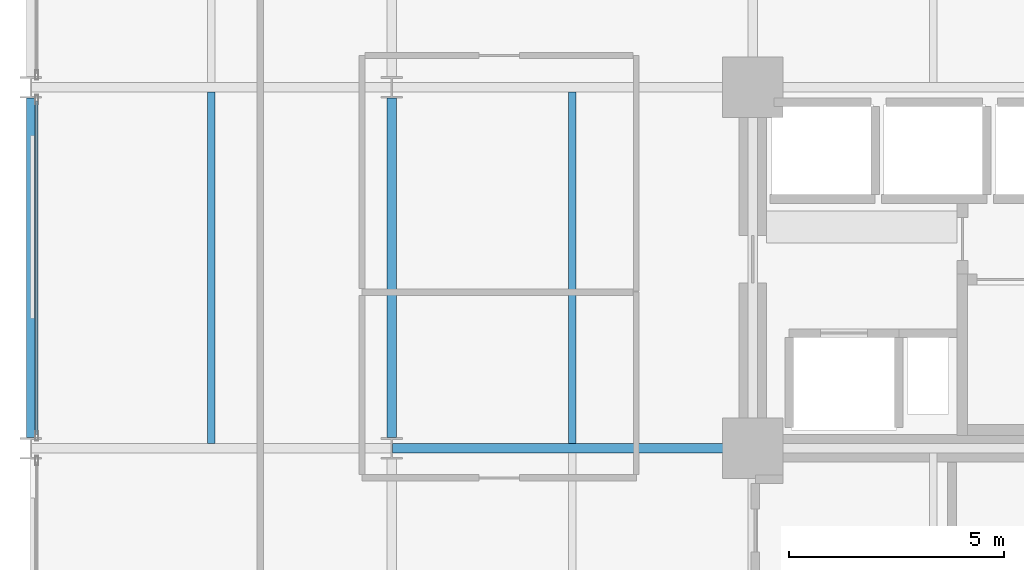
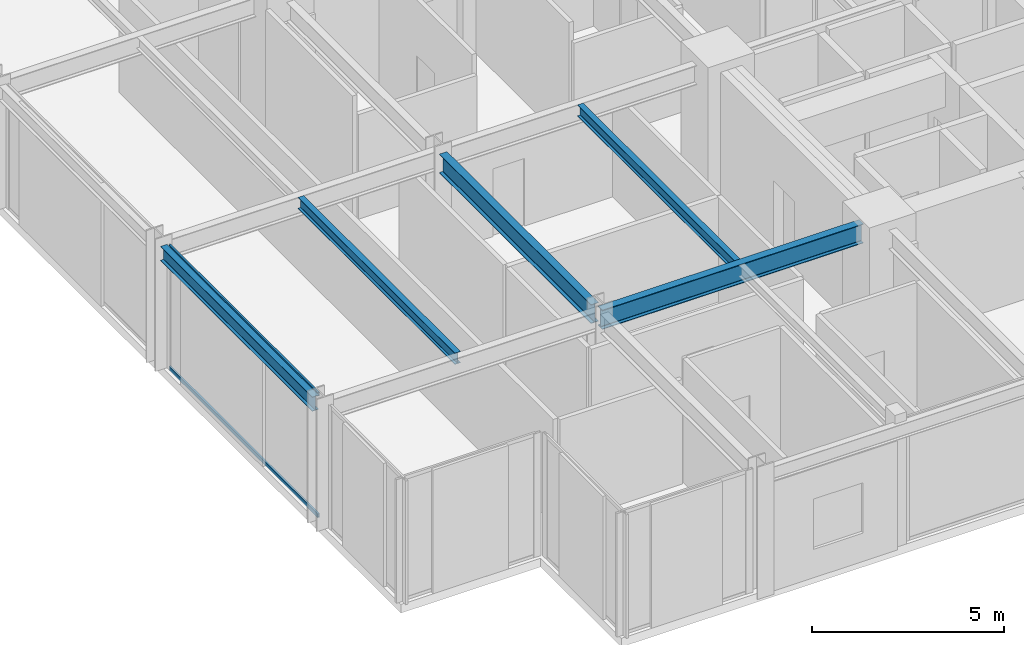
# One storey, part 5 of 26: 5 beams, 2 members, 1 element without a shape of its own.
"""IFC4 building model written with IfcOpenShell, lengths in metres."""

from ifc_helpers import new_model, si_unit, direction, frame, origin, origin_2d, place, context, subcontext, project, spatial, hollow_rectangle, i_section, extrude, material, layer, layer_set, material_profile, profile_set, type_object, element, aggregate, save


model = new_model("IFC4")

# Units and contexts
model_context = context("Model", 3, precision=1e-05, world=origin(), true_north=direction((0.0, 1.0)))
body_context = subcontext(model_context, "Body", "Model", "MODEL_VIEW")
ifc_project = project(units=[si_unit("LENGTHUNIT", "METRE"), si_unit("AREAUNIT", "SQUARE_METRE"), si_unit("VOLUMEUNIT", "CUBIC_METRE"), si_unit("PLANEANGLEUNIT", "RADIAN"), si_unit("MASSUNIT", "GRAM", prefix="KILO")], contexts=[model_context])

# Site, building, storey
site_placement = place(None, origin())
site = spatial("IfcSite", under=ifc_project, at=site_placement, CompositionType="ELEMENT")
building_placement = place(site_placement, origin())
building = spatial("IfcBuilding", under=site, at=building_placement, Name="Nerrivon Quay Data Exchange", CompositionType="ELEMENT")
storey_placement = place(building_placement, frame((0.0, 0.0, 71.0)))
storey = spatial("IfcBuildingStorey", under=building, at=storey_placement, Name="L16", CompositionType="ELEMENT", Elevation=71.0)

# Beams
ifc_material_1 = material(Name="Steel Grade 350", Category="steel")
ifc_material_profile_1 = material_profile(ifc_material_1, i_section(OverallWidth=0.22900390625, OverallDepth=0.612060546875, WebThickness=0.011962890625, FlangeThickness=0.01953125, FilletRadius=0.013916015625, at=origin_2d()), Name="610UB125")
ifc_profile_set_1 = profile_set([ifc_material_profile_1], Name="Steel Grade 350")
beam_type_1 = type_object("IfcBeamType", Name="BM-G1-610UB125", PredefinedType="BEAM", material=ifc_profile_set_1)
beam_1_placement = place(storey_placement, frame((8.4140625, 8.39990234375, 3.618896484375), z_axis=(1.0, 0.0, 0.0), x_axis=(0.0, 1.0, 0.0)))
element("IfcBeam", 1, at=beam_1_placement, inside=storey, type_object=beam_type_1, Name="L16 EW Girder Y=8.4 (8.4..16.8)", PredefinedType="BEAM", context=body_context, shape_type="SweptSolid", body=[
    extrude(i_section(OverallWidth=0.22900390625, OverallDepth=0.612060546875, WebThickness=0.011962890625, FlangeThickness=0.01953125, FilletRadius=0.013916015625, at=origin_2d()), origin(), (0.0, 0.0, 1.0), 7.845947265625),
])
ifc_material_profile_2 = material_profile(ifc_material_1, i_section(OverallWidth=0.22802734375, OverallDepth=0.60205078125, WebThickness=0.010498046875, FlangeThickness=0.014892578125, FilletRadius=0.013916015625, at=origin_2d()), Name="610UB101")
ifc_profile_set_2 = profile_set([ifc_material_profile_2], Name="Steel Grade 350")
beam_type_2 = type_object("IfcBeamType", Name="BM-G2-610UB101", PredefinedType="BEAM", material=ifc_profile_set_2)
beam_2_placement = place(storey_placement, frame((8.39990234375, 8.64990234375, 3.6240234375), z_axis=(0.0, 1.0, 0.0), x_axis=(-1.0, 0.0, 0.0)))
element("IfcBeam", 2, at=beam_2_placement, inside=storey, type_object=beam_type_2, Name="L16 NS Girder X=8.4 (8.4..16.8)", PredefinedType="BEAM", context=body_context, shape_type="SweptSolid", body=[
    extrude(i_section(OverallWidth=0.22802734375, OverallDepth=0.60205078125, WebThickness=0.010498046875, FlangeThickness=0.014892578125, FilletRadius=0.013916015625, at=origin_2d()), origin(), (0.0, 0.0, 1.0), 7.900146484375),
])
ifc_material_profile_3 = material_profile(ifc_material_1, i_section(OverallWidth=0.172119140625, OverallDepth=0.35888671875, WebThickness=0.008056640625, FlangeThickness=0.012939453125, FilletRadius=0.011474609375, at=origin_2d()), Name="360UB56.7")
ifc_profile_set_3 = profile_set([ifc_material_profile_3], Name="Steel Grade 350")
beam_type_3 = type_object("IfcBeamType", Name="BM-J3-360UB57", PredefinedType="JOIST", material=ifc_profile_set_3)
for number, where, z_axis, x_axis, name in (
    (3, (4.199951171875, 8.514404296875, 3.74560546875), (0.0, 1.0, 0.0), (-1.0, 0.0, 0.0), "L16 Secondary Joist X=4.2 (8.4..16.8)"),
    (4, (12.60009765625, 8.514404296875, 3.74560546875), (0.0, 1.0, 0.0), (-1.0, 0.0, 0.0), "L16 Secondary Joist X=12.6 (8.4..16.8)"),
):
    element("IfcBeam", number, at=place(storey_placement, frame(where, z_axis=z_axis, x_axis=x_axis)), inside=storey, type_object=beam_type_3, Name=name, PredefinedType="JOIST", context=body_context, shape_type="SweptSolid", body=[
        extrude(i_section(OverallWidth=0.172119140625, OverallDepth=0.35888671875, WebThickness=0.008056640625, FlangeThickness=0.012939453125, FilletRadius=0.011474609375, at=origin_2d()), origin(), (0.0, 0.0, 1.0), 8.171142578125),
    ])
ifc_material_profile_4 = material_profile(ifc_material_1, i_section(OverallWidth=0.18994140625, OverallDepth=0.4541015625, WebThickness=0.008544921875, FlangeThickness=0.0126953125, FilletRadius=0.011474609375, at=origin_2d()), Name="460UB67.1")
ifc_profile_set_4 = profile_set([ifc_material_profile_4], Name="Steel Grade 350")
beam_type_4 = type_object("IfcBeamType", Name="BM-SP1-460UB67", PredefinedType="SPANDREL", material=ifc_profile_set_4)
beam_3_placement = place(storey_placement, frame((0.0, 8.64990234375, 3.697998046875), z_axis=(0.0, 1.0, 0.0), x_axis=(-1.0, 0.0, 0.0)))
element("IfcBeam", 5, at=beam_3_placement, inside=storey, type_object=beam_type_4, Name="L16 NS Girder X=0.0 (8.4..16.8)", PredefinedType="SPANDREL", context=body_context, shape_type="SweptSolid", body=[
    extrude(i_section(OverallWidth=0.18994140625, OverallDepth=0.4541015625, WebThickness=0.008544921875, FlangeThickness=0.0126953125, FilletRadius=0.011474609375, at=origin_2d()), origin(), (0.0, 0.0, 1.0), 7.900146484375),
])

# Curtain wall, members
ifc_material_2 = material(Name="Anodised aluminium 6063-T6", Category="aluminium")
ifc_layer = layer(ifc_material_2, 0.219970703125)
ifc_layer_set = layer_set([ifc_layer], Name="Anodised aluminium 6063-T6")
curtain_wall_type = type_object("IfcCurtainWallType", Name="CW-SYS-01", PredefinedType="NOTDEFINED", material=ifc_layer_set)
curtain_wall_placement = place(storey_placement, origin())
curtain_wall = element("IfcCurtainWall", 6, at=curtain_wall_placement, inside=storey, type_object=curtain_wall_type, Name="L16 Unitised Curtain Wall 18", PredefinedType="NOTDEFINED")
ifc_material_profile_5 = material_profile(ifc_material_2, hollow_rectangle(XDim=0.06005859375, YDim=0.1201171875, WallThickness=0.003173828125, at=origin_2d()), Name="ALU-TRAN-120x60")
ifc_profile_set_5 = profile_set([ifc_material_profile_5], Name="Anodised aluminium 6063-T6")
member_type = type_object("IfcMemberType", Name="CWT-120x60", PredefinedType="USERDEFINED", material=ifc_profile_set_5)
member_1_placement = place(storey_placement, frame((0.139892578125, 8.72509765625, 0.032470703125), z_axis=(0.0, 1.0, 0.0), x_axis=(-1.0, 0.0, 0.0)))
member_1 = element("IfcMember", 7, at=member_1_placement, type_object=member_type, Name="CW01 transom 1.1", ObjectType="TRANSOM", PredefinedType="USERDEFINED", context=body_context, shape_type="SweptSolid", body=[
    extrude(hollow_rectangle(XDim=0.06005859375, YDim=0.1201171875, WallThickness=0.003173828125, at=origin_2d()), origin(), (0.0, 0.0, 1.0), 7.75),
])
member_2_placement = place(storey_placement, frame((0.139892578125, 8.72509765625, 3.892578125), z_axis=(0.0, 1.0, 0.0), x_axis=(-1.0, 0.0, 0.0)))
member_2 = element("IfcMember", 8, at=member_2_placement, type_object=member_type, Name="CW01 transom 1.2", ObjectType="TRANSOM", PredefinedType="USERDEFINED", context=body_context, shape_type="SweptSolid", body=[
    extrude(hollow_rectangle(XDim=0.06005859375, YDim=0.1201171875, WallThickness=0.003173828125, at=origin_2d()), origin(), (0.0, 0.0, 1.0), 7.75),
])
aggregate(curtain_wall, [member_1, member_2])

save(model, "model.ifc")
